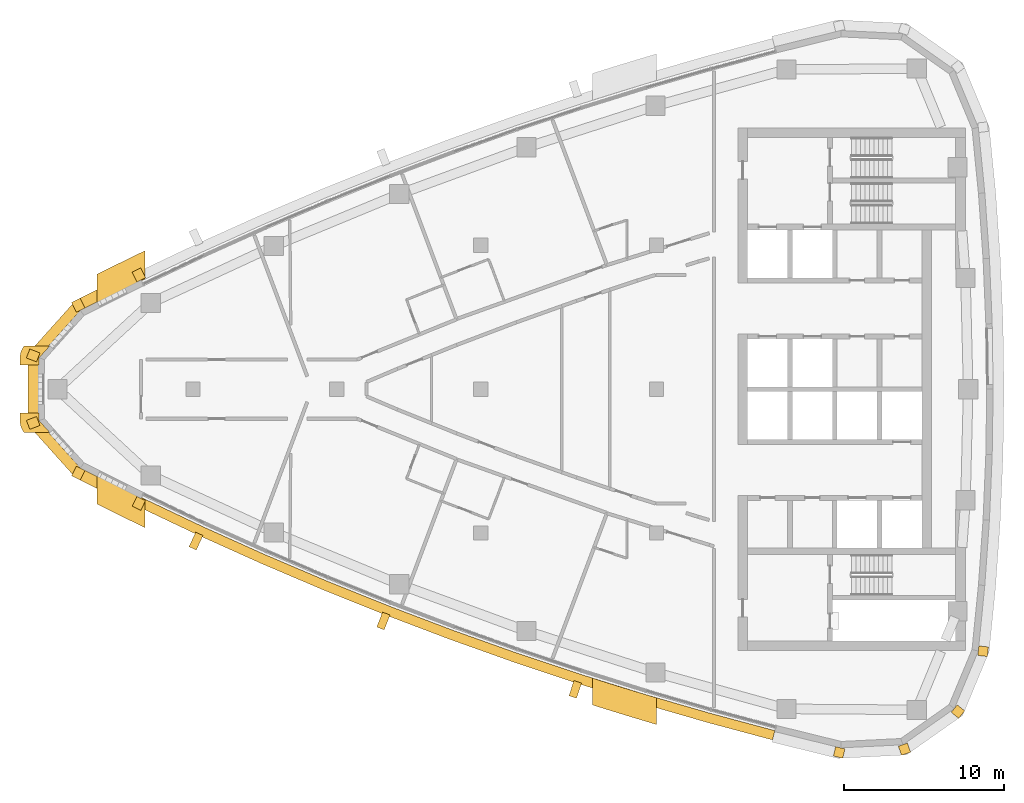
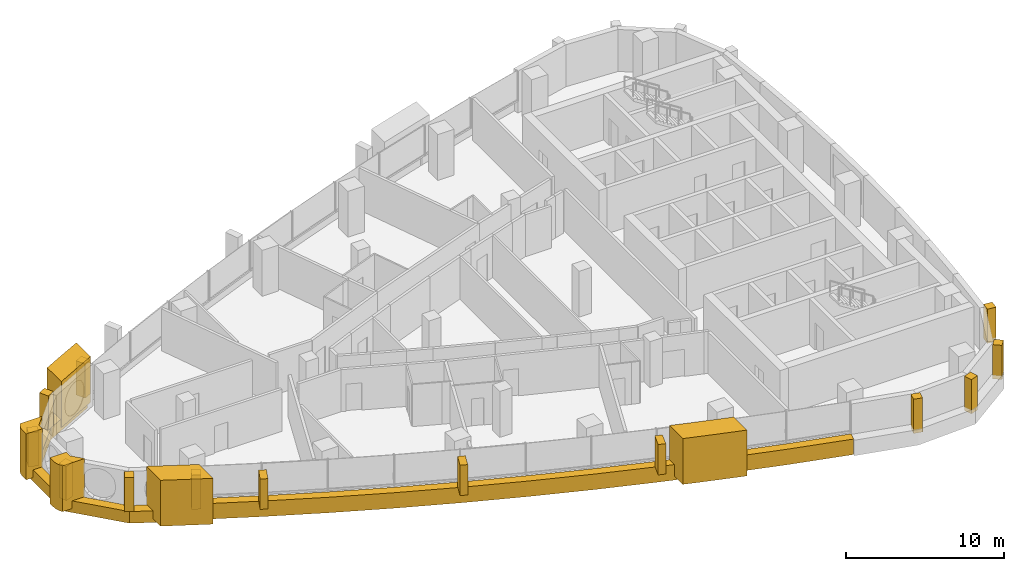
# One storey, part 12 of 15: 20 coverings.
"""IFC4 building model written with IfcOpenShell, lengths in metres."""

from ifc_helpers import new_model, si_unit, direction, frame, frame_2d, origin, place, context, subcontext, project, spatial, polyline, rectangle, outline, extrude, material, layer, layer_set, type_object, element, save


model = new_model("IFC4")

# Units and contexts
model_context = context("Model", 3, precision=1e-05, world=origin(), true_north=direction((0.0, 1.0)))
body_context = subcontext(model_context, "Body", "Model", "MODEL_VIEW")
ifc_project = project(units=[si_unit("LENGTHUNIT", "METRE"), si_unit("AREAUNIT", "SQUARE_METRE"), si_unit("VOLUMEUNIT", "CUBIC_METRE"), si_unit("PLANEANGLEUNIT", "RADIAN"), si_unit("MASSUNIT", "GRAM", prefix="KILO")], contexts=[model_context])

# Site, building, storey
site_placement = place(None, origin())
site = spatial("IfcSite", under=ifc_project, at=site_placement, CompositionType="ELEMENT")
building_placement = place(site_placement, origin())
building = spatial("IfcBuilding", under=site, at=building_placement, Name="Ostrand Prow Hotel Tower", CompositionType="ELEMENT")
storey_placement = place(building_placement, frame((0.0, 0.0, 235.0)))
storey = spatial("IfcBuildingStorey", under=building, at=storey_placement, Name="L59", CompositionType="ELEMENT", Elevation=235.0)

# Coverings
ifc_material_1 = material(Name="Bronze anodised aluminium cladding", Category="aluminium")
ifc_layer_1 = layer(ifc_material_1, 0.60009765625)
ifc_layer_set_1 = layer_set([ifc_layer_1], Name="Bronze anodised aluminium cladding")
covering_type_1 = type_object("IfcCoveringType", Name="Bronze prow band 899x600", PredefinedType="CLADDING", material=ifc_layer_set_1)
covering_1_placement = place(storey_placement, frame((0.0, 0.0, -0.300048828125)))
element("IfcCovering", 1, at=covering_1_placement, inside=storey, type_object=covering_type_1, Name="Bronze prow band", PredefinedType="CLADDING", context=body_context, shape_type="SweptSolid", body=[
    extrude(outline(polyline([(12.464111328125, 7.451904296875), (8.668212890625, 5.55517578125), (5.685302734375, 2.232666015625), (5.685302734375, -2.232666015625), (8.668212890625, -5.55517578125), (12.464111328125, -7.451904296875), (12.76171875, -6.840576171875), (8.97802734375, -4.949951171875), (6.3203125, -1.9892578125), (6.3203125, 1.9892578125), (8.97802734375, 4.949951171875), (12.76171875, 6.840576171875), (12.464111328125, 7.451904296875)])), origin(), (0.0, 0.0, 1.0), 0.900146484375),
])
ifc_material_2 = material(Name="Bronze anodised aluminium cladding", Category="aluminium")
ifc_layer_2 = layer(ifc_material_2, 0.60009765625)
ifc_layer_set_2 = layer_set([ifc_layer_2], Name="Bronze anodised aluminium cladding")
covering_type_2 = type_object("IfcCoveringType", Name="Bronze spandrel band 1200x600", PredefinedType="CLADDING", material=ifc_layer_set_2)
covering_2_placement = place(storey_placement, frame((0.0, 0.0, -0.300048828125)))
element("IfcCovering", 2, at=covering_2_placement, inside=storey, type_object=covering_type_2, Name="Spandrel band S1", PredefinedType="CLADDING", context=body_context, shape_type="SweptSolid", body=[
    extrude(outline(polyline([(12.526123046875, -7.324462890625), (16.35693359375, -9.14306640625), (20.2236328125, -10.88427734375), (24.12451171875, -12.547119140625), (28.058349609375, -14.131103515625), (32.02294921875, -15.635498046875), (36.017333984375, -17.059814453125), (40.039306640625, -18.403564453125), (44.087890625, -19.665771484375), (48.16064453125, -20.846435546875), (52.256591796875, -21.944580078125), (52.40625, -21.363525390625), (48.322021484375, -20.268310546875), (44.260498046875, -19.09130859375), (40.223876953125, -17.83251953125), (36.213134765625, -16.49267578125), (32.230224609375, -15.072509765625), (28.27685546875, -13.572265625), (24.354248046875, -11.992919921875), (20.464599609375, -10.334716796875), (16.60888671875, -8.598388671875), (12.788818359375, -6.784912109375), (12.526123046875, -7.324462890625)])), origin(), (0.0, 0.0, 1.0), 1.199951171875),
])
ifc_material_3 = material(Name="Limestone cladding", Category="masonry")
ifc_layer_3 = layer(ifc_material_3, 5.0)
ifc_layer_set_3 = layer_set([ifc_layer_3], Name="Limestone cladding")
covering_type_3 = type_object("IfcCoveringType", Name="Portal jamb pilaster limestone", PredefinedType="CLADDING", material=ifc_layer_set_3)
covering_3_placement = place(storey_placement, origin())
element("IfcCovering", 3, at=covering_3_placement, inside=storey, type_object=covering_type_3, Name="Portal jamb SA L59", PredefinedType="CLADDING", context=body_context, shape_type="SweptSolid", body=[
    extrude(outline(polyline([(10.0, -5.40087890625), (10.0, -7.19189453125), (11.0, -7.689453125), (12.0, -8.180419921875), (13.0, -8.664794921875), (13.0, -6.8876953125), (12.0, -6.398681640625), (11.0, -5.903076171875), (10.0, -5.40087890625)])), origin(), (0.0, 0.0, 1.0), 3.550048828125),
])
covering_4_placement = place(storey_placement, origin())
element("IfcCovering", 4, at=covering_4_placement, inside=storey, type_object=covering_type_3, Name="Portal jamb SB L59", PredefinedType="CLADDING", context=body_context, shape_type="SweptSolid", body=[
    extrude(outline(polyline([(41.0, -18.08154296875), (41.0, -19.760009765625), (42.0, -20.0732421875), (43.0, -20.381103515625), (44.0, -20.68359375), (45.0, -20.980712890625), (45.0, -19.312255859375), (44.0, -19.0126953125), (43.0, -18.707763671875), (42.0, -18.3974609375), (41.0, -18.08154296875)])), origin(), (0.0, 0.0, 1.0), 3.550048828125),
])
covering_5_placement = place(storey_placement, origin())
element("IfcCovering", 5, at=covering_5_placement, inside=storey, type_object=covering_type_3, Name="Portal jamb NA L59", PredefinedType="CLADDING", context=body_context, shape_type="SweptSolid", body=[
    extrude(outline(polyline([(10.0, 5.40087890625), (11.0, 5.903076171875), (12.0, 6.398681640625), (13.0, 6.8876953125), (13.0, 8.664794921875), (12.0, 8.180419921875), (11.0, 7.689453125), (10.0, 7.19189453125), (10.0, 5.40087890625)])), origin(), (0.0, 0.0, 1.0), 3.550048828125),
])
ifc_material_4 = material(Name="Limestone cladding", Category="masonry")
ifc_layer_4 = layer(ifc_material_4, 0.5)
ifc_layer_set_4 = layer_set([ifc_layer_4], Name="Limestone cladding")
covering_type_4 = type_object("IfcCoveringType", Name="Precast stone fin 500x900", PredefinedType="CLADDING", material=ifc_layer_set_4)
covering_6_placement = place(storey_placement, frame((16.39892578125, -9.05224609375, 0.89990234375), z_axis=(0.0, 0.0, 1.0), x_axis=(-0.419661863421, -0.907680516696, 0.0)))
element("IfcCovering", 6, at=covering_6_placement, inside=storey, type_object=covering_type_4, Name="Stone fin S 2", PredefinedType="CLADDING", context=body_context, shape_type="SweptSolid", body=[
    extrude(rectangle(XDim=1.0, YDim=0.5, at=frame_2d((0.5, 0.0))), origin(), (0.0, 0.0, 1.0), 2.35009765625),
])
covering_7_placement = place(storey_placement, frame((28.0947265625, -14.0380859375, 0.89990234375), z_axis=(0.0, 0.0, 1.0), x_axis=(-0.364307281276, -0.931278800795, 0.0)))
element("IfcCovering", 7, at=covering_7_placement, inside=storey, type_object=covering_type_4, Name="Stone fin S 5", PredefinedType="CLADDING", context=body_context, shape_type="SweptSolid", body=[
    extrude(rectangle(XDim=0.999755859375, YDim=0.5, at=frame_2d((0.5, 0.0))), origin(), (0.0, 0.0, 1.0), 2.35009765625),
])
covering_8_placement = place(storey_placement, frame((40.070068359375, -18.308349609375, 0.89990234375), z_axis=(0.0, 0.0, 1.0), x_axis=(-0.307352263966, -0.951595810118, 0.0)))
element("IfcCovering", 8, at=covering_8_placement, inside=storey, type_object=covering_type_4, Name="Stone fin S 8", PredefinedType="CLADDING", context=body_context, shape_type="SweptSolid", body=[
    extrude(rectangle(XDim=1.0, YDim=0.5, at=frame_2d((0.5, 0.0))), origin(), (0.0, 0.0, 1.0), 2.35009765625),
])
ifc_material_5 = material(Name="Limestone cladding", Category="masonry")
ifc_layer_5 = layer(ifc_material_5, 0.60009765625)
ifc_layer_set_5 = layer_set([ifc_layer_5], Name="Limestone cladding")
covering_type_5 = type_object("IfcCoveringType", Name="Precast stone prow rib 600x600", PredefinedType="CLADDING", material=ifc_layer_set_5)
for number, where, z_axis, x_axis, name in (
    (9, (12.76171875, 6.840576171875, 0.60009765625), (0.0, 0.0, 1.0), (-0.437708972644, 0.899116708368, 0.0), "Stone prow rib 1"),
    (10, (8.97802734375, 4.949951171875, 0.60009765625), (0.0, 0.0, 1.0), (-0.455667721738, 0.890149946563, 0.0), "Stone prow rib 2"),
):
    element("IfcCovering", number, at=place(storey_placement, frame(where, z_axis=z_axis, x_axis=x_axis)), inside=storey, type_object=covering_type_5, Name=name, PredefinedType="CLADDING", context=body_context, shape_type="SweptSolid", body=[
        extrude(rectangle(XDim=0.679931640625, YDim=0.60009765625, at=frame_2d((0.33984375, 0.0))), origin(), (0.0, 0.0, 1.0), 2.64990234375),
    ])
for number, where, z_axis, x_axis, name in (
    (11, (6.3203125, 1.9892578125, 0.60009765625), (0.0, 0.0, 1.0), (-0.9337521164, 0.357920361419, 0.0), "Stone prow rib 3"),
    (12, (6.3203125, -1.9892578125, 0.60009765625), (0.0, 0.0, 1.0), (-0.9337521164, -0.357920361419, 0.0), "Stone prow rib 4"),
):
    element("IfcCovering", number, at=place(storey_placement, frame(where, z_axis=z_axis, x_axis=x_axis)), inside=storey, type_object=covering_type_5, Name=name, PredefinedType="CLADDING", context=body_context, shape_type="SweptSolid", body=[
        extrude(rectangle(XDim=0.68017578125, YDim=0.60009765625, at=frame_2d((0.340087890625, 0.0))), origin(), (0.0, 0.0, 1.0), 2.64990234375),
    ])
for number, where, z_axis, x_axis, name in (
    (13, (8.97802734375, -4.949951171875, 0.60009765625), (0.0, 0.0, 1.0), (-0.455667721738, -0.890149946563, 0.0), "Stone prow rib 5"),
    (14, (12.76171875, -6.840576171875, 0.60009765625), (0.0, 0.0, 1.0), (-0.437708972644, -0.899116708368, 0.0), "Stone prow rib 6"),
):
    element("IfcCovering", number, at=place(storey_placement, frame(where, z_axis=z_axis, x_axis=x_axis)), inside=storey, type_object=covering_type_5, Name=name, PredefinedType="CLADDING", context=body_context, shape_type="SweptSolid", body=[
        extrude(rectangle(XDim=0.679931640625, YDim=0.60009765625, at=frame_2d((0.33984375, 0.0))), origin(), (0.0, 0.0, 1.0), 2.64990234375),
    ])
for number, where, z_axis, x_axis, name in (
    (15, (56.49755859375, -22.436279296875, 0.60009765625), (0.0, 0.0, 1.0), (-0.229878322855, -0.973219377469, 0.0), "Stone corner rib 2a"),
    (16, (60.417236328125, -22.240966796875, 0.60009765625), (0.0, 0.0, 1.0), (0.325489086777, -0.945545797087, 0.0), "Stone corner rib 3a"),
    (17, (63.62744140625, -19.98291015625, 0.60009765625), (0.0, 0.0, 1.0), (0.779994736518, -0.625786074473, 0.0), "Stone corner rib 4a"),
    (18, (65.13623046875, -16.35986328125, 0.60009765625), (0.0, 0.0, 1.0), (0.993628058569, -0.112708833834, 0.0), "Stone corner rib 4b"),
):
    element("IfcCovering", number, at=place(storey_placement, frame(where, z_axis=z_axis, x_axis=x_axis)), inside=storey, type_object=covering_type_5, Name=name, PredefinedType="CLADDING", context=body_context, shape_type="SweptSolid", body=[
        extrude(rectangle(XDim=0.60009765625, YDim=0.60009765625, at=frame_2d((0.300048828125, 0.0))), origin(), (0.0, 0.0, 1.0), 2.64990234375),
    ])
ifc_material_6 = material(Name="Limestone cladding", Category="masonry")
ifc_layer_6 = layer(ifc_material_6, 3.0)
ifc_layer_set_6 = layer_set([ifc_layer_6], Name="Limestone cladding")
covering_type_6 = type_object("IfcCoveringType", Name="Prow nose pier limestone", PredefinedType="CLADDING", material=ifc_layer_set_6)
covering_9_placement = place(storey_placement, origin())
element("IfcCovering", 19, at=covering_9_placement, inside=storey, type_object=covering_type_6, Name="Prow spine fin N L59", PredefinedType="CLADDING", context=body_context, shape_type="SweptSolid", body=[
    extrude(outline(polyline([(5.177734375, 1.96728515625), (5.177734375, 1.5), (6.377685546875, 1.5), (6.377685546875, 1.96728515625), (7.03564453125, 2.699951171875), (5.42919921875, 2.699951171875), (5.406005859375, 2.67138671875), (5.337890625, 2.566162109375), (5.28125, 2.454345703125), (5.236328125, 2.33740234375), (5.203857421875, 2.21630859375), (5.184326171875, 2.09228515625), (5.177734375, 1.96728515625)])), origin(), (0.0, 0.0, 1.0), 3.550048828125),
])
covering_10_placement = place(storey_placement, origin())
element("IfcCovering", 20, at=covering_10_placement, inside=storey, type_object=covering_type_6, Name="Prow spine fin S L59", PredefinedType="CLADDING", context=body_context, shape_type="SweptSolid", body=[
    extrude(outline(polyline([(5.406005859375, -2.67138671875), (5.42919921875, -2.699951171875), (7.03564453125, -2.699951171875), (6.377685546875, -1.96728515625), (6.377685546875, -1.5), (5.177734375, -1.5), (5.177734375, -1.96728515625), (5.184326171875, -2.09228515625), (5.203857421875, -2.21630859375), (5.236328125, -2.33740234375), (5.28125, -2.454345703125), (5.337890625, -2.566162109375), (5.406005859375, -2.67138671875)])), origin(), (0.0, 0.0, 1.0), 3.550048828125),
])

save(model, "model.ifc")
